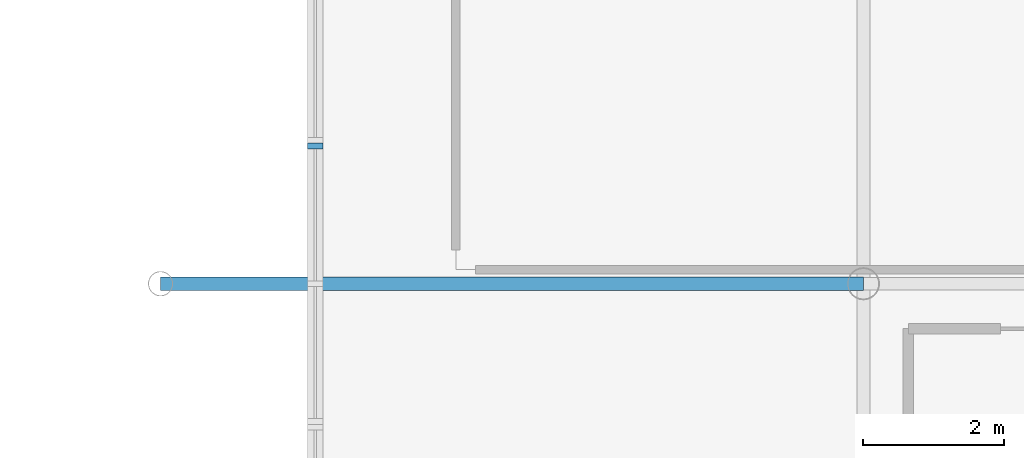
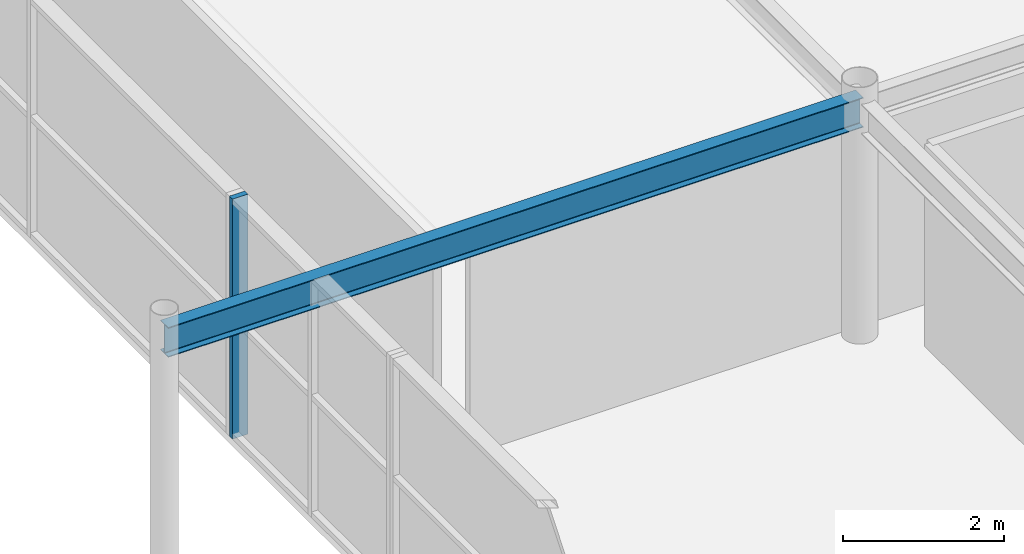
# One storey, part 37 of 98: 1 beam, 1 member, 1 element without a shape of its own.
"""IFC4 building model written with IfcOpenShell, lengths in metres."""

from ifc_helpers import new_model, si_unit, derived_unit, direction, frame, origin, origin_2d_with_axis, place, context, subcontext, project, spatial, rectangle, i_section, extrude, material, material_profile, profile_set, type_object, element, aggregate, save


model = new_model("IFC4")

# Units and contexts
model_context = context("Model", 3, precision=1e-05, world=origin(), true_north=direction((0.0, 1.0)))
body_context = subcontext(model_context, "Body", "Model", "MODEL_VIEW")
ifc_project = project(units=[si_unit("LENGTHUNIT", "METRE"), si_unit("AREAUNIT", "SQUARE_METRE"), si_unit("VOLUMEUNIT", "CUBIC_METRE"), si_unit("PLANEANGLEUNIT", "RADIAN"), si_unit("MASSUNIT", "GRAM", prefix="KILO"), derived_unit("THERMALTRANSMITTANCEUNIT", [(si_unit("POWERUNIT", "WATT"), 1), (si_unit("LENGTHUNIT", "METRE"), -2), (si_unit("THERMODYNAMICTEMPERATUREUNIT", "KELVIN"), -1)])], contexts=[model_context])

# Site, building, storey
site_placement = place(None, origin())
site = spatial("IfcSite", under=ifc_project, at=site_placement, CompositionType="ELEMENT")
building_placement = place(site_placement, origin())
building = spatial("IfcBuilding", under=site, at=building_placement, Name="Cinnabar Yard Market Hall", CompositionType="ELEMENT")
storey_placement = place(building_placement, frame((0.0, 0.0, 4.5)))
storey = spatial("IfcBuildingStorey", under=building, at=storey_placement, Name="L01", CompositionType="ELEMENT", Elevation=4.5)

# Beam
ifc_material_1 = material(Name="Steel Grade 300 (300 MPa)", Category="steel")
ifc_material_profile_1 = material_profile(ifc_material_1, i_section(OverallWidth=0.18994140625, OverallDepth=0.453857421875, WebThickness=0.008544921875, FlangeThickness=0.0126953125, FilletRadius=0.011474609375, at=origin_2d_with_axis()), Name="460UB67.1")
ifc_profile_set_1 = profile_set([ifc_material_profile_1], Name="Steel Grade 300 (300 MPa)")
beam_type = type_object("IfcBeamType", Name="BM-B05E", PredefinedType="BEAM", material=ifc_profile_set_1)
beam_placement = place(storey_placement, frame((76.0, 44.0, 3.423095703125), z_axis=(-1.0, 0.0, 0.0), x_axis=(0.0, -1.0, 0.0)))
element("IfcBeam", 1, at=beam_placement, inside=storey, type_object=beam_type, Name="L01 Gallery West Tie 00303", PredefinedType="BEAM", context=body_context, shape_type="SweptSolid", body=[
    extrude(i_section(OverallWidth=0.18994140625, OverallDepth=0.453857421875, WebThickness=0.008544921875, FlangeThickness=0.0126953125, FilletRadius=0.011474609375, at=origin_2d_with_axis()), origin(), (0.0, 0.0, 1.0), 10.0),
])

# Curtain wall, member
ifc_material_2 = material(Name="Anodised bronze aluminium and low-E glass", Category="aluminium")
curtain_wall_type = type_object("IfcCurtainWallType", Name="CW-CWH040x36", PredefinedType="NOTDEFINED", material=ifc_material_2)
curtain_wall_placement = place(storey_placement, origin())
curtain_wall = element("IfcCurtainWall", 2, at=curtain_wall_placement, inside=storey, type_object=curtain_wall_type, Name="Market Hall West Gallery Glazing WPT", PredefinedType="NOTDEFINED")
ifc_material_3 = material(Name="Anodised bronze aluminium", Category="aluminium")
ifc_material_profile_2 = material_profile(ifc_material_3, rectangle(XDim=0.219970703125, YDim=0.080078125, at=origin_2d_with_axis()), Name="MUL-CWH")
ifc_profile_set_2 = profile_set([ifc_material_profile_2], Name="Anodised bronze aluminium")
member_type = type_object("IfcMemberType", Name="CWM-CWH", PredefinedType="MULLION", material=ifc_profile_set_2)
member_placement = place(storey_placement, frame((68.199951171875, 45.9599609375, 0.0), z_axis=(0.0, 0.0, 1.0), x_axis=(1.0, 0.0, 0.0)))
member = element("IfcMember", 3, at=member_placement, type_object=member_type, Name="CWH040x36 mullion 1", PredefinedType="MULLION", context=body_context, shape_type="SweptSolid", body=[
    extrude(rectangle(XDim=0.219970703125, YDim=0.080078125, at=origin_2d_with_axis()), origin(), (0.0, 0.0, 1.0), 3.64990234375),
])
aggregate(curtain_wall, [member])

save(model, "model.ifc")
